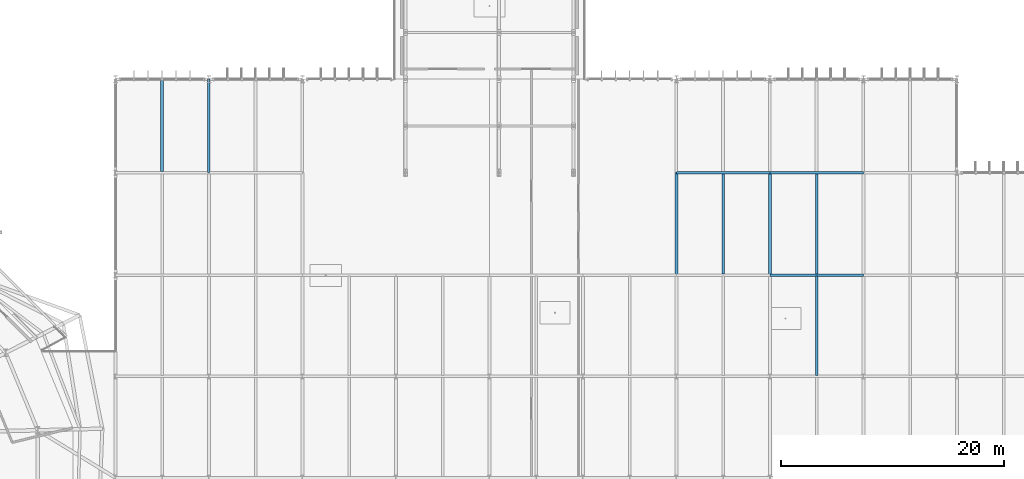
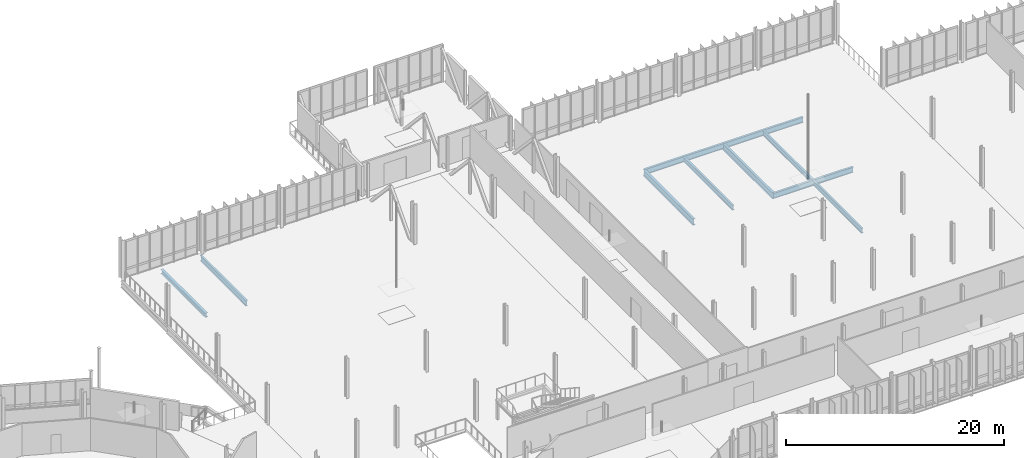
# One storey, part 65 of 139: 10 beams.
"""IFC4 building model written with IfcOpenShell, lengths in metres."""

from ifc_helpers import new_model, si_unit, derived_unit, direction, frame, origin, origin_2d, place, context, subcontext, project, spatial, i_section, extrude, material, material_profile, profile_set, type_object, element, save


model = new_model("IFC4")

# Units and contexts
model_context = context("Model", 3, precision=1e-05, world=origin(), true_north=direction((0.0, 1.0)))
body_context = subcontext(model_context, "Body", "Model", "MODEL_VIEW")
ifc_project = project(units=[si_unit("LENGTHUNIT", "METRE"), si_unit("AREAUNIT", "SQUARE_METRE"), si_unit("VOLUMEUNIT", "CUBIC_METRE"), si_unit("PLANEANGLEUNIT", "RADIAN"), si_unit("MASSUNIT", "GRAM", prefix="KILO"), derived_unit("THERMALTRANSMITTANCEUNIT", [(si_unit("MASSUNIT", "GRAM", prefix="KILO"), 1), (si_unit("TIMEUNIT", "SECOND"), -3), (si_unit("THERMODYNAMICTEMPERATUREUNIT", "KELVIN"), -1)])], contexts=[model_context])

# Site, building, storey
site_placement = place(None, origin())
site = spatial("IfcSite", under=ifc_project, at=site_placement, CompositionType="ELEMENT")
building_placement = place(site_placement, origin())
building = spatial("IfcBuilding", under=site, at=building_placement, Name="Makaiwela Harbour Ferry Terminal", CompositionType="ELEMENT")
storey_placement = place(building_placement, frame((0.0, 0.0, 5.10009765625)))
storey = spatial("IfcBuildingStorey", under=building, at=storey_placement, Name="L01", CompositionType="ELEMENT", Elevation=5.10009765625)

# Beams
ifc_material = material(Name="Steel ASTM A992 Grade 50", Category="steel")
ifc_material_profile_1 = material_profile(ifc_material, i_section(OverallWidth=0.280029296875, OverallDepth=0.462890625, WebThickness=0.0107421875, FlangeThickness=0.017333984375, at=origin_2d()), Name="W18X76")
ifc_profile_set_1 = profile_set([ifc_material_profile_1], Name="Steel ASTM A992 Grade 50")
beam_type_1 = type_object("IfcBeamType", Name="STR-BM-W18X76", PredefinedType="BEAM", material=ifc_profile_set_1)
beam_1_placement = place(storey_placement, frame((67.199951171875, 95.096435546875, -0.51171875), z_axis=(0.0, 1.0, 0.0), x_axis=(-1.0, 0.0, 0.0)))
element("IfcBeam", 1, at=beam_1_placement, inside=storey, type_object=beam_type_1, Name="Secondary floor beam 1085", PredefinedType="BEAM", context=body_context, shape_type="SweptSolid", body=[
    extrude(i_section(OverallWidth=0.280029296875, OverallDepth=0.462890625, WebThickness=0.0107421875, FlangeThickness=0.017333984375, at=origin_2d()), origin(), (0.0, 0.0, 1.0), 8.18896484375),
])
ifc_material_profile_2 = material_profile(ifc_material, i_section(OverallWidth=0.2099609375, OverallDepth=0.537109375, WebThickness=0.010986328125, FlangeThickness=0.017333984375, at=origin_2d()), Name="W21X68")
ifc_profile_set_2 = profile_set([ifc_material_profile_2], Name="Steel ASTM A992 Grade 50")
beam_type_2 = type_object("IfcBeamType", Name="STR-BM-W21X68", PredefinedType="BEAM", material=ifc_profile_set_2)
beam_2_placement = place(storey_placement, frame((117.60009765625, 85.896484375, -0.548583984375), z_axis=(0.0, 1.0, 0.0), x_axis=(-1.0, 0.0, 0.0)))
element("IfcBeam", 2, at=beam_2_placement, inside=storey, type_object=beam_type_2, Name="Secondary floor beam 1134", PredefinedType="BEAM", context=body_context, shape_type="SweptSolid", body=[
    extrude(i_section(OverallWidth=0.2099609375, OverallDepth=0.537109375, WebThickness=0.010986328125, FlangeThickness=0.017333984375, at=origin_2d()), origin(), (0.0, 0.0, 1.0), 9.007080078125),
])
beam_3_placement = place(storey_placement, frame((126.0, 76.79638671875, -0.548583984375), z_axis=(0.0, 1.0, 0.0), x_axis=(-1.0, 0.0, 0.0)))
element("IfcBeam", 3, at=beam_3_placement, inside=storey, type_object=beam_type_2, Name="Secondary floor beam 1140", PredefinedType="BEAM", context=body_context, shape_type="SweptSolid", body=[
    extrude(i_section(OverallWidth=0.2099609375, OverallDepth=0.537109375, WebThickness=0.010986328125, FlangeThickness=0.017333984375, at=origin_2d()), origin(), (0.0, 0.0, 1.0), 8.9072265625),
])
beam_4_placement = place(storey_placement, frame((126.0, 85.896484375, -0.548583984375), z_axis=(0.0, 1.0, 0.0), x_axis=(-1.0, 0.0, 0.0)))
element("IfcBeam", 4, at=beam_4_placement, inside=storey, type_object=beam_type_2, Name="Secondary floor beam 1141", PredefinedType="BEAM", context=body_context, shape_type="SweptSolid", body=[
    extrude(i_section(OverallWidth=0.2099609375, OverallDepth=0.537109375, WebThickness=0.010986328125, FlangeThickness=0.017333984375, at=origin_2d()), origin(), (0.0, 0.0, 1.0), 9.007080078125),
])
ifc_material_profile_3 = material_profile(ifc_material, i_section(OverallWidth=0.22900390625, OverallDepth=0.612060546875, WebThickness=0.011962890625, FlangeThickness=0.01953125, at=origin_2d()), Name="W24X84")
ifc_profile_set_3 = profile_set([ifc_material_profile_3], Name="Steel ASTM A992 Grade 50")
beam_type_3 = type_object("IfcBeamType", Name="STR-GRD-W24X84", PredefinedType="USERDEFINED", material=ifc_profile_set_3)
beam_5_placement = place(storey_placement, frame((121.800048828125, 85.800048828125, -0.586181640625), z_axis=(1.0, 0.0, 0.0), x_axis=(0.0, 1.0, 0.0)))
element("IfcBeam", 5, at=beam_5_placement, inside=storey, type_object=beam_type_3, Name="Primary X girder 887", ObjectType="GIRDER", PredefinedType="USERDEFINED", context=body_context, shape_type="SweptSolid", body=[
    extrude(i_section(OverallWidth=0.22900390625, OverallDepth=0.612060546875, WebThickness=0.011962890625, FlangeThickness=0.01953125, at=origin_2d()), origin(), (0.0, 0.0, 1.0), 8.39990234375),
])
beam_6_placement = place(storey_placement, frame((113.39990234375, 95.0, -0.586181640625), z_axis=(1.0, 0.0, 0.0), x_axis=(0.0, 1.0, 0.0)))
element("IfcBeam", 6, at=beam_6_placement, inside=storey, type_object=beam_type_3, Name="Primary X girder 895", ObjectType="GIRDER", PredefinedType="USERDEFINED", context=body_context, shape_type="SweptSolid", body=[
    extrude(i_section(OverallWidth=0.22900390625, OverallDepth=0.612060546875, WebThickness=0.011962890625, FlangeThickness=0.01953125, at=origin_2d()), origin(), (0.0, 0.0, 1.0), 8.400146484375),
])
for number, where, z_axis, x_axis, name in (
    (7, (121.800048828125, 95.0, -0.586181640625), (1.0, 0.0, 0.0), (0.0, 1.0, 0.0), "Primary X girder 896"),
    (8, (71.39990234375, 95.0, -0.586181640625), (0.0, 1.0, 0.0), (-1.0, 0.0, 0.0), "Primary Y girder 945"),
):
    element("IfcBeam", number, at=place(storey_placement, frame(where, z_axis=z_axis, x_axis=x_axis)), inside=storey, type_object=beam_type_3, Name=name, ObjectType="GIRDER", PredefinedType="USERDEFINED", context=body_context, shape_type="SweptSolid", body=[
        extrude(i_section(OverallWidth=0.22900390625, OverallDepth=0.612060546875, WebThickness=0.011962890625, FlangeThickness=0.01953125, at=origin_2d()), origin(), (0.0, 0.0, 1.0), 8.39990234375),
    ])
ifc_material_profile_4 = material_profile(ifc_material, i_section(OverallWidth=0.256103515625, OverallDepth=0.693115234375, WebThickness=0.014404296875, FlangeThickness=0.023681640625, at=origin_2d()), Name="W27X114")
ifc_profile_set_4 = profile_set([ifc_material_profile_4], Name="Steel ASTM A992 Grade 50")
beam_type_4 = type_object("IfcBeamType", Name="STR-GRD-W27X114", PredefinedType="USERDEFINED", material=ifc_profile_set_4)
for number, where, z_axis, x_axis, name in (
    (9, (113.39990234375, 85.800048828125, -0.626708984375), (0.0, 1.0, 0.0), (-1.0, 0.0, 0.0), "Primary Y girder 988"),
    (10, (121.800048828125, 85.800048828125, -0.626708984375), (0.0, 1.0, 0.0), (-1.0, 0.0, 0.0), "Primary Y girder 998"),
):
    element("IfcBeam", number, at=place(storey_placement, frame(where, z_axis=z_axis, x_axis=x_axis)), inside=storey, type_object=beam_type_4, Name=name, ObjectType="GIRDER", PredefinedType="USERDEFINED", context=body_context, shape_type="SweptSolid", body=[
        extrude(i_section(OverallWidth=0.256103515625, OverallDepth=0.693115234375, WebThickness=0.014404296875, FlangeThickness=0.023681640625, at=origin_2d()), origin(), (0.0, 0.0, 1.0), 9.199951171875),
    ])

save(model, "model.ifc")
